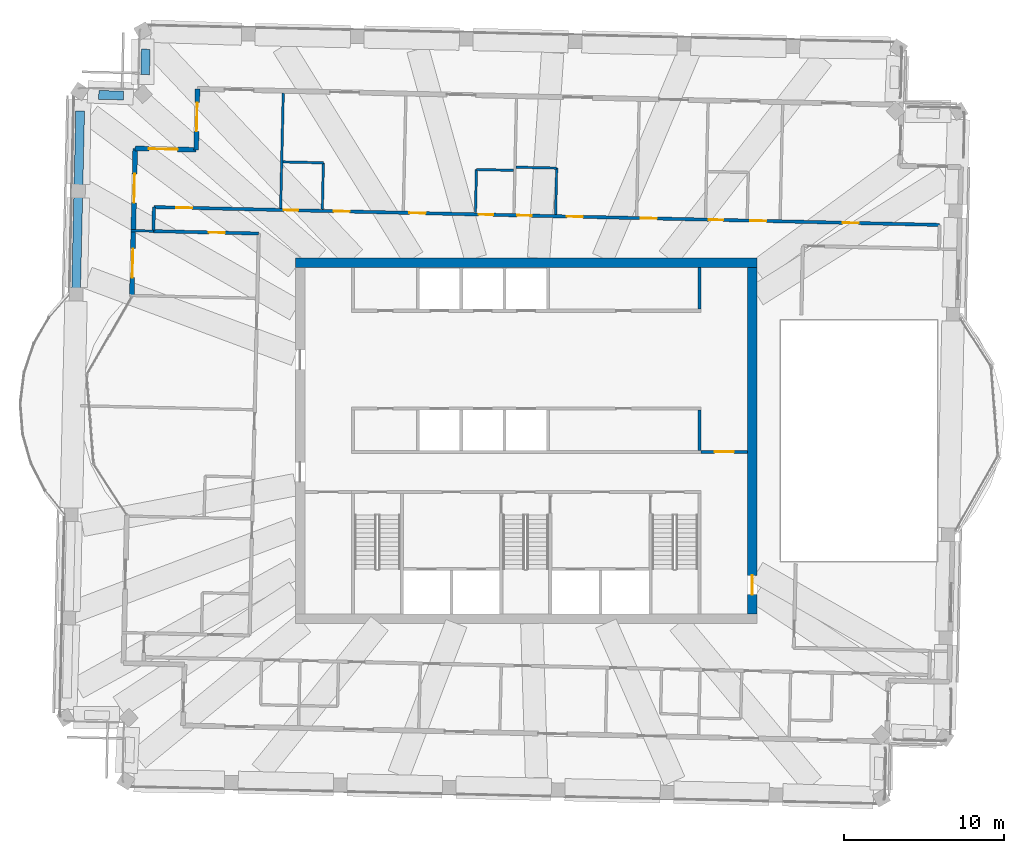
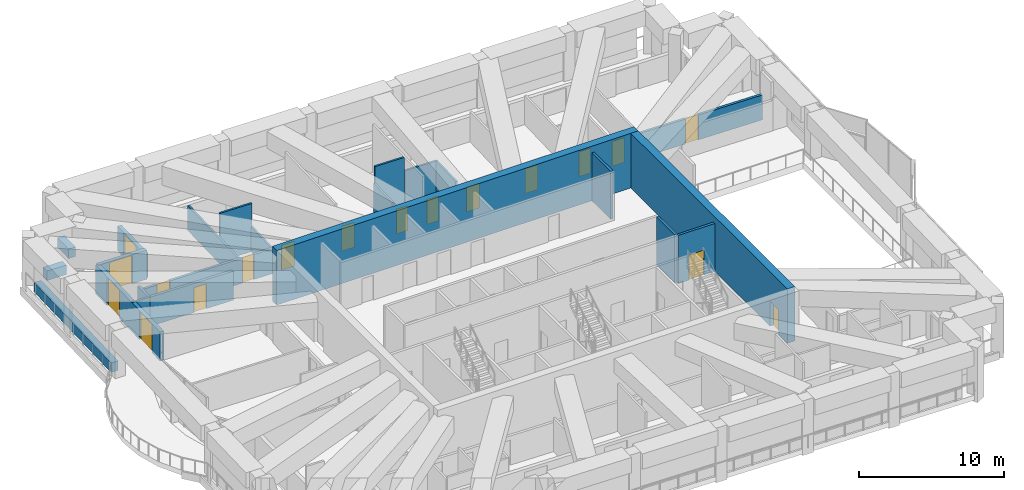
# One storey, part 10 of 17: 22 walls, 18 doors, 18 openings.
"""IFC4 building model written with IfcOpenShell, lengths in metres."""

from ifc_helpers import new_model, si_unit, direction, frame, frame_2d, origin, place, context, subcontext, project, spatial, rectangle, extrude, material, layer, layer_set, type_object, element, fill, save


model = new_model("IFC4")

# Units and contexts
model_context = context("Model", 3, precision=1e-05, world=origin(), true_north=direction((0.0, 1.0)))
body_context = subcontext(model_context, "Body", "Model", "MODEL_VIEW")
ifc_project = project(units=[si_unit("LENGTHUNIT", "METRE"), si_unit("AREAUNIT", "SQUARE_METRE"), si_unit("VOLUMEUNIT", "CUBIC_METRE"), si_unit("PLANEANGLEUNIT", "RADIAN"), si_unit("MASSUNIT", "GRAM", prefix="KILO")], contexts=[model_context])

# Site, building, storey
site_placement = place(None, origin())
site = spatial("IfcSite", under=ifc_project, at=site_placement, CompositionType="ELEMENT")
building_placement = place(site_placement, origin())
building = spatial("IfcBuilding", under=site, at=building_placement, Name="Mangrove Gate Tower", CompositionType="ELEMENT")
storey_placement = place(building_placement, frame((0.0, 0.0, 337.89990234375)))
storey = spatial("IfcBuildingStorey", under=building, at=storey_placement, Name="L86", CompositionType="ELEMENT", Elevation=337.89990234375)

# Wall, opening, door
ifc_material_1 = material(Name="Concrete C32/40", Category="concrete")
ifc_layer_1 = layer(ifc_material_1, 0.199951171875)
ifc_layer_set_1 = layer_set([ifc_layer_1], Name="Core lobby wall 200 C32/40")
wall_type_1 = type_object("IfcWallType", Name="Core lobby wall 200 C32/40", PredefinedType="STANDARD", material=ifc_layer_set_1)
wall_1_placement = place(storey_placement, frame((10.89990234375, -0.699951171875, 0.0), z_axis=(0.0, 0.0, 1.0), x_axis=(1.0, 0.0, 0.0)))
wall_1 = element("IfcWall", 1, at=wall_1_placement, inside=storey, type_object=wall_type_1, Name="WALL-L86-CORE-32", PredefinedType="STANDARD", context=body_context, shape_type="SweptSolid", body=[
    extrude(rectangle(XDim=2.900146484375, YDim=0.199951171875, at=frame_2d((1.4501953125, 0.0))), origin(), (0.0, 0.0, 1.0), 4.050048828125),
])
opening_1_placement = place(wall_1_placement, frame((0.85009765625, 0.0, 0.0)))
opening_1 = element("IfcOpeningElement", 2, at=opening_1_placement, cuts=wall_1, Name="Opening FL12", PredefinedType="OPENING", context=body_context, shape_type="SweptSolid", body=[
    extrude(rectangle(XDim=1.199951171875, YDim=2.10009765625, at=frame_2d((0.60009765625, 1.050048828125))), frame((0.0, 0.10986328125, 0.0), z_axis=(0.0, -1.0, 0.0), x_axis=(1.0, 0.0, 0.0)), (0.0, 0.0, 1.0), 0.219970703125),
])
ifc_material_2 = material(Name="Fire-rated steel door set", Category="steel")
door_type_1 = type_object("IfcDoorType", Name="Lobby door FD60 1200x2100", OperationType="SINGLE_SWING_LEFT", PredefinedType="DOOR", material=ifc_material_2)
door_1_placement = place(opening_1_placement, origin())
door_1 = element("IfcDoor", 3, at=door_1_placement, inside=storey, type_object=door_type_1, Name="Lobby door core corridor E partition", OperationType="SINGLE_SWING_LEFT", OverallHeight=2.10009765625, OverallWidth=1.199951171875, PredefinedType="DOOR", context=body_context, shape_type="SweptSolid", body=[
    extrude(rectangle(XDim=1.199951171875, YDim=2.10009765625, at=frame_2d((0.60009765625, 1.050048828125))), frame((0.0, 0.02490234375, 0.0), z_axis=(0.0, -1.0, 0.0), x_axis=(1.0, 0.0, 0.0)), (0.0, 0.0, 1.0), 0.050048828125),
])
fill(opening_1, door_1)

# Walls
ifc_material_3 = material(Name="Concrete C32/40", Category="concrete")
ifc_layer_2 = layer(ifc_material_3, 0.199951171875)
ifc_layer_set_2 = layer_set([ifc_layer_2], Name="Core room wall 200 C32/40")
wall_type_2 = type_object("IfcWallType", Name="Core room wall 200 C32/40", PredefinedType="STANDARD", material=ifc_layer_set_2)
wall_2_placement = place(storey_placement, frame((10.800048828125, -0.60009765625, 0.0), z_axis=(0.0, 0.0, 1.0), x_axis=(0.0, 1.0, 0.0)))
element("IfcWall", 4, at=wall_2_placement, inside=storey, type_object=wall_type_2, Name="WALL-L86-CORE-24", PredefinedType="STANDARD", context=body_context, shape_type="SweptSolid", body=[
    extrude(rectangle(XDim=2.5, YDim=0.199951171875, at=frame_2d((1.25, 0.0))), origin(), (0.0, 0.0, 1.0), 4.050048828125),
])
wall_3_placement = place(storey_placement, frame((10.800048828125, 8.199951171875, 0.0), z_axis=(0.0, 0.0, 1.0), x_axis=(0.0, 1.0, 0.0)))
element("IfcWall", 5, at=wall_3_placement, inside=storey, type_object=wall_type_2, Name="WALL-L86-CORE-30", PredefinedType="STANDARD", context=body_context, shape_type="SweptSolid", body=[
    extrude(rectangle(XDim=2.60009765625, YDim=0.199951171875, at=frame_2d((1.300048828125, 0.0))), origin(), (0.0, 0.0, 1.0), 4.050048828125),
])
ifc_material_4 = material(Name="Concrete C50/60", Category="concrete")
ifc_layer_3 = layer(ifc_material_4, 0.60009765625)
ifc_layer_set_3 = layer_set([ifc_layer_3], Name="Core wall 600 C50/60")
wall_type_3 = type_object("IfcWallType", Name="Core wall 600 C50/60", PredefinedType="SHEAR", material=ifc_layer_set_3)
wall_4_placement = place(storey_placement, frame((-14.39990234375, 11.10009765625, 0.0), z_axis=(0.0, 0.0, 1.0), x_axis=(1.0, 0.0, 0.0)))
element("IfcWall", 6, at=wall_4_placement, inside=storey, type_object=wall_type_3, Name="WALL-L86-CORE-2", PredefinedType="SHEAR", context=body_context, shape_type="SweptSolid", body=[
    extrude(rectangle(XDim=28.7998046875, YDim=0.60009765625, at=frame_2d((14.39990234375, 0.0))), origin(), (0.0, 0.0, 1.0), 4.60009765625),
])

# Wall, opening, door
wall_5_placement = place(storey_placement, frame((14.10009765625, -10.800048828125, 0.0), z_axis=(0.0, 0.0, 1.0), x_axis=(0.0, 1.0, 0.0)))
wall_5 = element("IfcWall", 7, at=wall_5_placement, inside=storey, type_object=wall_type_3, Name="WALL-L86-CORE-4", PredefinedType="SHEAR", context=body_context, shape_type="SweptSolid", body=[
    extrude(rectangle(XDim=21.60009765625, YDim=0.60009765625, at=frame_2d((10.800048828125, 0.0))), origin(), (0.0, 0.0, 1.0), 4.60009765625),
])
opening_2_placement = place(wall_5_placement, frame((1.199951171875, 0.0, 0.0)))
opening_2 = element("IfcOpeningElement", 8, at=opening_2_placement, cuts=wall_5, Name="Opening CD", PredefinedType="OPENING", context=body_context, shape_type="SweptSolid", body=[
    extrude(rectangle(XDim=1.199951171875, YDim=2.10009765625, at=frame_2d((0.60009765625, 1.050048828125))), frame((0.0, 0.31005859375, 0.0), z_axis=(0.0, -1.0, 0.0), x_axis=(1.0, 0.0, 0.0)), (0.0, 0.0, 1.0), 0.6201171875),
])
ifc_material_5 = material(Name="Fire-rated steel door set", Category="steel")
door_type_2 = type_object("IfcDoorType", Name="Core ring door FD60 1200x2100", OperationType="DOUBLE_DOOR_SINGLE_SWING", PredefinedType="DOOR", material=ifc_material_5)
door_2_placement = place(opening_2_placement, origin())
door_2 = element("IfcDoor", 9, at=door_2_placement, inside=storey, type_object=door_type_2, Name="Core ring door E1", OperationType="DOUBLE_DOOR_SINGLE_SWING", OverallHeight=2.10009765625, OverallWidth=1.199951171875, PredefinedType="DOOR", context=body_context, shape_type="SweptSolid", body=[
    extrude(rectangle(XDim=1.199951171875, YDim=2.10009765625, at=frame_2d((0.60009765625, 1.050048828125))), frame((0.0, 0.02490234375, 0.0), z_axis=(0.0, -1.0, 0.0), x_axis=(1.0, 0.0, 0.0)), (0.0, 0.0, 1.0), 0.050048828125),
])
fill(opening_2, door_2)

ifc_material_6 = material(Name="Gypsum board on steel stud, EI 60", Category="steel")
ifc_layer_4 = layer(ifc_material_6, 0.199951171875)
ifc_layer_set_4 = layer_set([ifc_layer_4], Name="Corridor wall EI 60")
wall_type_4 = type_object("IfcWallType", Name="Corridor wall EI 60", PredefinedType="PARTITIONING", material=ifc_layer_set_4)
wall_6_placement = place(storey_placement, frame((-23.2470703125, 13.06396484375, 0.0), z_axis=(0.0, 0.0, 1.0), x_axis=(0.999743042775, -0.02266822496, 0.0)))
wall_6 = element("IfcWall", 10, at=wall_6_placement, inside=storey, type_object=wall_type_4, Name="WALL-L86-034", PredefinedType="PARTITIONING", context=body_context, shape_type="SweptSolid", body=[
    extrude(rectangle(XDim=6.56982421875, YDim=0.199951171875, at=frame_2d((3.284912109375, 0.0))), origin(), (0.0, 0.0, 1.0), 2.4501953125),
])
opening_3_placement = place(wall_6_placement, frame((3.466064453125, 0.0, 0.0)))
opening_3 = element("IfcOpeningElement", 11, at=opening_3_placement, cuts=wall_6, Name="Opening AD", PredefinedType="OPENING", context=body_context, shape_type="SweptSolid", body=[
    extrude(rectangle(XDim=1.0, YDim=2.10009765625, at=frame_2d((0.5, 1.050048828125))), frame((0.0, 0.10986328125, 0.0), z_axis=(0.0, -1.0, 0.0), x_axis=(1.0, 0.0, 0.0)), (0.0, 0.0, 1.0), 0.219970703125),
])
ifc_material_7 = material(Name="Timber door leaf", Category="wood")
door_type_3 = type_object("IfcDoorType", Name="Amenity door 1000", OperationType="SINGLE_SWING_LEFT", PredefinedType="DOOR", material=ifc_material_7)
door_3_placement = place(opening_3_placement, origin())
door_3 = element("IfcDoor", 12, at=door_3_placement, inside=storey, type_object=door_type_3, Name="DOOR-L86-GAM-c5a", OperationType="SINGLE_SWING_LEFT", OverallHeight=2.10009765625, OverallWidth=1.0, PredefinedType="DOOR", context=body_context, shape_type="SweptSolid", body=[
    extrude(rectangle(XDim=1.0, YDim=2.10009765625, at=frame_2d((0.5, 1.050048828125))), frame((0.0, 0.02490234375, 0.0), z_axis=(0.0, -1.0, 0.0), x_axis=(1.0, 0.0, 0.0)), (0.0, 0.0, 1.0), 0.050048828125),
])
fill(opening_3, door_3)

# Wall
wall_7_placement = place(storey_placement, frame((-23.2470703125, 13.068115234375, 0.0), z_axis=(0.0, 0.0, 1.0), x_axis=(0.023431065349, 0.999725454901, 0.0)))
element("IfcWall", 13, at=wall_7_placement, inside=storey, type_object=wall_type_4, Name="WALL-L86-037", PredefinedType="PARTITIONING", context=body_context, shape_type="SweptSolid", body=[
    extrude(rectangle(XDim=1.50048828125, YDim=0.199951171875, at=frame_2d((0.750244140625, 0.0))), origin(), (0.0, 0.0, 1.0), 2.4501953125),
])

# Wall, openings, doors
wall_8_placement = place(storey_placement, frame((-23.212890625, 14.56396484375, 0.0), z_axis=(0.0, 0.0, 1.0), x_axis=(0.999742437097, -0.022694921611, 0.0)))
wall_8 = element("IfcWall", 14, at=wall_8_placement, inside=storey, type_object=wall_type_4, Name="WALL-L86-039", PredefinedType="PARTITIONING", context=body_context, shape_type="SweptSolid", body=[
    extrude(rectangle(XDim=49.00048828125, YDim=0.199951171875, at=frame_2d((24.500244140625, 0.0))), origin(), (0.0, 0.0, 1.0), 2.10009765625),
])
opening_4_placement = place(wall_8_placement, frame((42.950927734375, 0.0, 0.0)))
opening_4 = element("IfcOpeningElement", 15, at=opening_4_placement, cuts=wall_8, Name="Opening AD", PredefinedType="OPENING", context=body_context, shape_type="SweptSolid", body=[
    extrude(rectangle(XDim=1.0, YDim=2.10009765625, at=frame_2d((0.5, 1.050048828125))), frame((0.0, 0.10986328125, 0.0), z_axis=(0.0, -1.0, 0.0), x_axis=(1.0, 0.0, 0.0)), (0.0, 0.0, 1.0), 0.219970703125),
])
opening_5_placement = place(wall_8_placement, frame((37.199951171875, 0.0, 0.0)))
opening_5 = element("IfcOpeningElement", 16, at=opening_5_placement, cuts=wall_8, Name="Opening AD", PredefinedType="OPENING", context=body_context, shape_type="SweptSolid", body=[
    extrude(rectangle(XDim=1.0, YDim=2.10009765625, at=frame_2d((0.5, 1.050048828125))), frame((0.0, 0.10986328125, 0.0), z_axis=(0.0, -1.0, 0.0), x_axis=(1.0, 0.0, 0.0)), (0.0, 0.0, 1.0), 0.219970703125),
])
opening_6_placement = place(wall_8_placement, frame((34.60009765625, 0.0, 0.0)))
opening_6 = element("IfcOpeningElement", 17, at=opening_6_placement, cuts=wall_8, Name="Opening SD", PredefinedType="OPENING", context=body_context, shape_type="SweptSolid", body=[
    extrude(rectangle(XDim=0.89990234375, YDim=2.10009765625, at=frame_2d((0.449951171875, 1.050048828125))), frame((0.0, 0.10986328125, 0.0), z_axis=(0.0, -1.0, 0.0), x_axis=(1.0, 0.0, 0.0)), (0.0, 0.0, 1.0), 0.219970703125),
])
opening_7_placement = place(wall_8_placement, frame((30.3740234375, 0.0, 0.0)))
opening_7 = element("IfcOpeningElement", 18, at=opening_7_placement, cuts=wall_8, Name="Opening AD", PredefinedType="OPENING", context=body_context, shape_type="SweptSolid", body=[
    extrude(rectangle(XDim=1.0, YDim=2.10009765625, at=frame_2d((0.5, 1.050048828125))), frame((0.0, 0.10986328125, 0.0), z_axis=(0.0, -1.0, 0.0), x_axis=(1.0, 0.0, 0.0)), (0.0, 0.0, 1.0), 0.219970703125),
])
opening_8_placement = place(wall_8_placement, frame((25.760009765625, 0.0, 0.0)))
opening_8 = element("IfcOpeningElement", 19, at=opening_8_placement, cuts=wall_8, Name="Opening AD", PredefinedType="OPENING", context=body_context, shape_type="SweptSolid", body=[
    extrude(rectangle(XDim=1.0, YDim=2.10009765625, at=frame_2d((0.5, 1.050048828125))), frame((0.0, 0.10986328125, 0.0), z_axis=(0.0, -1.0, 0.0), x_axis=(1.0, 0.0, 0.0)), (0.0, 0.0, 1.0), 0.219970703125),
])
opening_9_placement = place(wall_8_placement, frame((22.64990234375, 0.0, 0.0)))
opening_9 = element("IfcOpeningElement", 20, at=opening_9_placement, cuts=wall_8, Name="Opening SD", PredefinedType="OPENING", context=body_context, shape_type="SweptSolid", body=[
    extrude(rectangle(XDim=0.89990234375, YDim=2.10009765625, at=frame_2d((0.449951171875, 1.050048828125))), frame((0.0, 0.10986328125, 0.0), z_axis=(0.0, -1.0, 0.0), x_axis=(1.0, 0.0, 0.0)), (0.0, 0.0, 1.0), 0.219970703125),
])
opening_10_placement = place(wall_8_placement, frame((15.93798828125, 0.0, 0.0)))
opening_10 = element("IfcOpeningElement", 21, at=opening_10_placement, cuts=wall_8, Name="Opening AD", PredefinedType="OPENING", context=body_context, shape_type="SweptSolid", body=[
    extrude(rectangle(XDim=1.0, YDim=2.10009765625, at=frame_2d((0.5, 1.050048828125))), frame((0.0, 0.10986328125, 0.0), z_axis=(0.0, -1.0, 0.0), x_axis=(1.0, 0.0, 0.0)), (0.0, 0.0, 1.0), 0.219970703125),
])
opening_11_placement = place(wall_8_placement, frame((20.25, 0.0, 0.0)))
opening_11 = element("IfcOpeningElement", 22, at=opening_11_placement, cuts=wall_8, Name="Opening SD", PredefinedType="OPENING", context=body_context, shape_type="SweptSolid", body=[
    extrude(rectangle(XDim=0.89990234375, YDim=2.10009765625, at=frame_2d((0.449951171875, 1.050048828125))), frame((0.0, 0.10986328125, 0.0), z_axis=(0.0, -1.0, 0.0), x_axis=(1.0, 0.0, 0.0)), (0.0, 0.0, 1.0), 0.219970703125),
])
opening_12_placement = place(wall_8_placement, frame((11.214111328125, 0.0, 0.0)))
opening_12 = element("IfcOpeningElement", 23, at=opening_12_placement, cuts=wall_8, Name="Opening AD", PredefinedType="OPENING", context=body_context, shape_type="SweptSolid", body=[
    extrude(rectangle(XDim=1.0, YDim=2.10009765625, at=frame_2d((0.5, 1.050048828125))), frame((0.0, 0.10986328125, 0.0), z_axis=(0.0, -1.0, 0.0), x_axis=(1.0, 0.0, 0.0)), (0.0, 0.0, 1.0), 0.219970703125),
])
opening_13_placement = place(wall_8_placement, frame((8.10009765625, 0.0, 0.0)))
opening_13 = element("IfcOpeningElement", 24, at=opening_13_placement, cuts=wall_8, Name="Opening SD", PredefinedType="OPENING", context=body_context, shape_type="SweptSolid", body=[
    extrude(rectangle(XDim=0.89990234375, YDim=2.10009765625, at=frame_2d((0.449951171875, 1.050048828125))), frame((0.0, 0.10986328125, 0.0), z_axis=(0.0, -1.0, 0.0), x_axis=(1.0, 0.0, 0.0)), (0.0, 0.0, 1.0), 0.219970703125),
])
opening_14_placement = place(wall_8_placement, frame((1.386962890625, 0.0, 0.0)))
opening_14 = element("IfcOpeningElement", 25, at=opening_14_placement, cuts=wall_8, Name="Opening AD", PredefinedType="OPENING", context=body_context, shape_type="SweptSolid", body=[
    extrude(rectangle(XDim=1.0, YDim=2.10009765625, at=frame_2d((0.5, 1.050048828125))), frame((0.0, 0.10986328125, 0.0), z_axis=(0.0, -1.0, 0.0), x_axis=(1.0, 0.0, 0.0)), (0.0, 0.0, 1.0), 0.219970703125),
])
door_4_placement = place(opening_4_placement, origin())
door_4 = element("IfcDoor", 26, at=door_4_placement, inside=storey, type_object=door_type_3, Name="DOOR-L86-LNG-c3a", OperationType="SINGLE_SWING_RIGHT", OverallHeight=2.10009765625, OverallWidth=1.0, PredefinedType="DOOR", context=body_context, shape_type="SweptSolid", body=[
    extrude(rectangle(XDim=1.0, YDim=2.10009765625, at=frame_2d((0.5, 1.050048828125))), frame((0.0, 0.02490234375, 0.0), z_axis=(0.0, -1.0, 0.0), x_axis=(1.0, 0.0, 0.0)), (0.0, 0.0, 1.0), 0.050048828125),
])
fill(opening_4, door_4)
door_5_placement = place(opening_5_placement, origin())
door_5 = element("IfcDoor", 27, at=door_5_placement, inside=storey, type_object=door_type_3, Name="DOOR-L86-STU-c3a", OperationType="SINGLE_SWING_LEFT", OverallHeight=2.10009765625, OverallWidth=1.0, PredefinedType="DOOR", context=body_context, shape_type="SweptSolid", body=[
    extrude(rectangle(XDim=1.0, YDim=2.10009765625, at=frame_2d((0.5, 1.050048828125))), frame((0.0, 0.02490234375, 0.0), z_axis=(0.0, -1.0, 0.0), x_axis=(1.0, 0.0, 0.0)), (0.0, 0.0, 1.0), 0.050048828125),
])
fill(opening_5, door_5)
door_6_placement = place(opening_7_placement, origin())
door_6 = element("IfcDoor", 28, at=door_6_placement, inside=storey, type_object=door_type_3, Name="DOOR-L86-STU-c3b", OperationType="SINGLE_SWING_RIGHT", OverallHeight=2.10009765625, OverallWidth=1.0, PredefinedType="DOOR", context=body_context, shape_type="SweptSolid", body=[
    extrude(rectangle(XDim=1.0, YDim=2.10009765625, at=frame_2d((0.5, 1.050048828125))), frame((0.0, 0.02490234375, 0.0), z_axis=(0.0, -1.0, 0.0), x_axis=(1.0, 0.0, 0.0)), (0.0, 0.0, 1.0), 0.050048828125),
])
fill(opening_7, door_6)
door_7_placement = place(opening_8_placement, origin())
door_7 = element("IfcDoor", 29, at=door_7_placement, inside=storey, type_object=door_type_3, Name="DOOR-L86-LNG-c4a", OperationType="SINGLE_SWING_LEFT", OverallHeight=2.10009765625, OverallWidth=1.0, PredefinedType="DOOR", context=body_context, shape_type="SweptSolid", body=[
    extrude(rectangle(XDim=1.0, YDim=2.10009765625, at=frame_2d((0.5, 1.050048828125))), frame((0.0, 0.02490234375, 0.0), z_axis=(0.0, -1.0, 0.0), x_axis=(1.0, 0.0, 0.0)), (0.0, 0.0, 1.0), 0.050048828125),
])
fill(opening_8, door_7)
door_8_placement = place(opening_10_placement, origin())
door_8 = element("IfcDoor", 30, at=door_8_placement, inside=storey, type_object=door_type_3, Name="DOOR-L86-GAM-c4a", OperationType="SINGLE_SWING_RIGHT", OverallHeight=2.10009765625, OverallWidth=1.0, PredefinedType="DOOR", context=body_context, shape_type="SweptSolid", body=[
    extrude(rectangle(XDim=1.0, YDim=2.10009765625, at=frame_2d((0.5, 1.050048828125))), frame((0.0, 0.02490234375, 0.0), z_axis=(0.0, -1.0, 0.0), x_axis=(1.0, 0.0, 0.0)), (0.0, 0.0, 1.0), 0.050048828125),
])
fill(opening_10, door_8)
door_9_placement = place(opening_12_placement, origin())
door_9 = element("IfcDoor", 31, at=door_9_placement, inside=storey, type_object=door_type_3, Name="DOOR-L86-LNG-c4b", OperationType="SINGLE_SWING_LEFT", OverallHeight=2.10009765625, OverallWidth=1.0, PredefinedType="DOOR", context=body_context, shape_type="SweptSolid", body=[
    extrude(rectangle(XDim=1.0, YDim=2.10009765625, at=frame_2d((0.5, 1.050048828125))), frame((0.0, 0.02490234375, 0.0), z_axis=(0.0, -1.0, 0.0), x_axis=(1.0, 0.0, 0.0)), (0.0, 0.0, 1.0), 0.050048828125),
])
fill(opening_12, door_9)
door_10_placement = place(opening_14_placement, origin())
door_10 = element("IfcDoor", 32, at=door_10_placement, inside=storey, type_object=door_type_3, Name="DOOR-L86-KIT-c4a", OperationType="SINGLE_SWING_RIGHT", OverallHeight=2.10009765625, OverallWidth=1.0, PredefinedType="DOOR", context=body_context, shape_type="SweptSolid", body=[
    extrude(rectangle(XDim=1.0, YDim=2.10009765625, at=frame_2d((0.5, 1.050048828125))), frame((0.0, 0.02490234375, 0.0), z_axis=(0.0, -1.0, 0.0), x_axis=(1.0, 0.0, 0.0)), (0.0, 0.0, 1.0), 0.050048828125),
])
fill(opening_14, door_10)
ifc_material_8 = material(Name="Timber door leaf", Category="wood")
door_type_4 = type_object("IfcDoorType", Name="Service room door 900", OperationType="SINGLE_SWING_LEFT", PredefinedType="DOOR", material=ifc_material_8)
door_11_placement = place(opening_6_placement, origin())
door_11 = element("IfcDoor", 33, at=door_11_placement, inside=storey, type_object=door_type_4, Name="DOOR-L86-AWC-c3a", OperationType="SINGLE_SWING_RIGHT", OverallHeight=2.10009765625, OverallWidth=0.89990234375, PredefinedType="DOOR", context=body_context, shape_type="SweptSolid", body=[
    extrude(rectangle(XDim=0.89990234375, YDim=2.10009765625, at=frame_2d((0.449951171875, 1.050048828125))), frame((0.0, 0.02490234375, 0.0), z_axis=(0.0, -1.0, 0.0), x_axis=(1.0, 0.0, 0.0)), (0.0, 0.0, 1.0), 0.050048828125),
])
fill(opening_6, door_11)
door_12_placement = place(opening_9_placement, origin())
door_12 = element("IfcDoor", 34, at=door_12_placement, inside=storey, type_object=door_type_4, Name="DOOR-L86-AWC-c4a", OperationType="SINGLE_SWING_LEFT", OverallHeight=2.10009765625, OverallWidth=0.89990234375, PredefinedType="DOOR", context=body_context, shape_type="SweptSolid", body=[
    extrude(rectangle(XDim=0.89990234375, YDim=2.10009765625, at=frame_2d((0.449951171875, 1.050048828125))), frame((0.0, 0.02490234375, 0.0), z_axis=(0.0, -1.0, 0.0), x_axis=(1.0, 0.0, 0.0)), (0.0, 0.0, 1.0), 0.050048828125),
])
fill(opening_9, door_12)
door_13_placement = place(opening_11_placement, origin())
door_13 = element("IfcDoor", 35, at=door_13_placement, inside=storey, type_object=door_type_4, Name="DOOR-L86-WC-c4a", OperationType="SINGLE_SWING_RIGHT", OverallHeight=2.10009765625, OverallWidth=0.89990234375, PredefinedType="DOOR", context=body_context, shape_type="SweptSolid", body=[
    extrude(rectangle(XDim=0.89990234375, YDim=2.10009765625, at=frame_2d((0.449951171875, 1.050048828125))), frame((0.0, 0.02490234375, 0.0), z_axis=(0.0, -1.0, 0.0), x_axis=(1.0, 0.0, 0.0)), (0.0, 0.0, 1.0), 0.050048828125),
])
fill(opening_11, door_13)
door_14_placement = place(opening_13_placement, origin())
door_14 = element("IfcDoor", 36, at=door_14_placement, inside=storey, type_object=door_type_4, Name="DOOR-L86-AWC-c4b", OperationType="SINGLE_SWING_LEFT", OverallHeight=2.10009765625, OverallWidth=0.89990234375, PredefinedType="DOOR", context=body_context, shape_type="SweptSolid", body=[
    extrude(rectangle(XDim=0.89990234375, YDim=2.10009765625, at=frame_2d((0.449951171875, 1.050048828125))), frame((0.0, 0.02490234375, 0.0), z_axis=(0.0, -1.0, 0.0), x_axis=(1.0, 0.0, 0.0)), (0.0, 0.0, 1.0), 0.050048828125),
])
fill(opening_13, door_14)

# Wall, opening, door
ifc_material_9 = material(Name="Limestone", Category="masonry")
ifc_layer_5 = layer(ifc_material_9, 0.0400390625, Name="Limestone cladding")
ifc_material_10 = material(Name="Ventilated air gap")
ifc_layer_6 = layer(ifc_material_10, 0.0400390625, Name="Ventilated cavity")
ifc_material_11 = material(Name="Mineral wool insulation")
ifc_layer_7 = layer(ifc_material_11, 0.06005859375, Name="Insulation")
ifc_material_12 = material(Name="Breather membrane")
ifc_layer_8 = layer(ifc_material_12, 0.001953125, Name="Breather membrane")
ifc_material_13 = material(Name="Concrete C20/25 blockwork", Category="masonry")
ifc_layer_9 = layer(ifc_material_13, 0.14990234375, Name="Blockwork backing wall")
ifc_material_14 = material(Name="Gypsum plaster")
ifc_layer_10 = layer(ifc_material_14, 0.008056640625, Name="Internal plaster")
ifc_layer_set_5 = layer_set([ifc_layer_5, ifc_layer_6, ifc_layer_7, ifc_layer_8, ifc_layer_9, ifc_layer_10], Name="External wall 300 limestone cladding")
wall_type_5 = type_object("IfcWallType", Name="External wall 300 limestone cladding", PredefinedType="SOLIDWALL", material=ifc_layer_set_5)
wall_9_placement = place(storey_placement, frame((-20.4951171875, 21.93408203125, 0.0), z_axis=(0.0, 0.0, 1.0), x_axis=(-0.022614868993, -0.999744251146, 0.0)))
wall_9 = element("IfcWall", 37, at=wall_9_placement, inside=storey, type_object=wall_type_5, Name="WALL-L86-W6", PredefinedType="SOLIDWALL", context=body_context, shape_type="SweptSolid", body=[
    extrude(rectangle(XDim=3.800048828125, YDim=0.300048828125, at=frame_2d((1.89990234375, 0.0))), origin(), (0.0, 0.0, 1.0), 2.10009765625),
])
opening_15_placement = place(wall_9_placement, frame((0.85009765625, 0.0, 0.0)))
opening_15 = element("IfcOpeningElement", 38, at=opening_15_placement, cuts=wall_9, Name="Opening TD2", PredefinedType="OPENING", context=body_context, shape_type="SweptSolid", body=[
    extrude(rectangle(XDim=1.800048828125, YDim=2.0, at=frame_2d((0.89990234375, 1.0))), frame((0.0, 0.159912109375, 0.0), z_axis=(0.0, -1.0, 0.0), x_axis=(1.0, 0.0, 0.0)), (0.0, 0.0, 1.0), 0.320068359375),
])
ifc_material_15 = material(Name="Aluminium frame with laminated clear glass", Category="aluminium")
door_type_5 = type_object("IfcDoorType", Name="Terrace door 1800x2000", OperationType="DOUBLE_DOOR_SINGLE_SWING", PredefinedType="DOOR", material=ifc_material_15)
door_15_placement = place(opening_15_placement, origin())
door_15 = element("IfcDoor", 39, at=door_15_placement, inside=storey, type_object=door_type_5, Name="DOOR-L86-W6-1", OperationType="DOUBLE_DOOR_SINGLE_SWING", OverallHeight=2.0, OverallWidth=1.800048828125, PredefinedType="DOOR", context=body_context, shape_type="SweptSolid", body=[
    extrude(rectangle(XDim=1.800048828125, YDim=2.0, at=frame_2d((0.89990234375, 1.0))), frame((0.0, 0.02490234375, 0.0), z_axis=(0.0, -1.0, 0.0), x_axis=(1.0, 0.0, 0.0)), (0.0, 0.0, 1.0), 0.050048828125),
])
fill(opening_15, door_15)

wall_10_placement = place(storey_placement, frame((-20.5810546875, 18.135009765625, 0.0), z_axis=(0.0, 0.0, 1.0), x_axis=(-0.999744218285, 0.022616321648, 0.0)))
wall_10 = element("IfcWall", 40, at=wall_10_placement, inside=storey, type_object=wall_type_5, Name="WALL-L86-N7", PredefinedType="SOLIDWALL", context=body_context, shape_type="SweptSolid", body=[
    extrude(rectangle(XDim=3.7998046875, YDim=0.300048828125, at=frame_2d((1.89990234375, 0.0))), origin(), (0.0, 0.0, 1.0), 2.4501953125),
])
opening_16_placement = place(wall_10_placement, frame((1.14990234375, 0.0, 0.0)))
opening_16 = element("IfcOpeningElement", 41, at=opening_16_placement, cuts=wall_10, Name="Opening TD1", PredefinedType="OPENING", context=body_context, shape_type="SweptSolid", body=[
    extrude(rectangle(XDim=1.800048828125, YDim=2.39990234375, at=frame_2d((0.89990234375, 1.199951171875))), frame((0.0, 0.159912109375, 0.0), z_axis=(0.0, -1.0, 0.0), x_axis=(1.0, 0.0, 0.0)), (0.0, 0.0, 1.0), 0.320068359375),
])
ifc_material_16 = material(Name="Aluminium frame with laminated clear glass", Category="aluminium")
door_type_6 = type_object("IfcDoorType", Name="Terrace door 1800x2400", OperationType="DOUBLE_DOOR_SINGLE_SWING", PredefinedType="DOOR", material=ifc_material_16)
door_16_placement = place(opening_16_placement, origin())
door_16 = element("IfcDoor", 42, at=door_16_placement, inside=storey, type_object=door_type_6, Name="DOOR-L86-N7-1", OperationType="DOUBLE_DOOR_SINGLE_SWING", OverallHeight=2.39990234375, OverallWidth=1.800048828125, PredefinedType="DOOR", context=body_context, shape_type="SweptSolid", body=[
    extrude(rectangle(XDim=1.800048828125, YDim=2.39990234375, at=frame_2d((0.89990234375, 1.199951171875))), frame((0.0, 0.02490234375, 0.0), z_axis=(0.0, -1.0, 0.0), x_axis=(1.0, 0.0, 0.0)), (0.0, 0.0, 1.0), 0.050048828125),
])
fill(opening_16, door_16)

# Wall, openings, doors
wall_11_placement = place(storey_placement, frame((-24.3798828125, 18.220947265625, 0.0), z_axis=(0.0, 0.0, 1.0), x_axis=(-0.022669729545, -0.999743008659, 0.0)))
wall_11 = element("IfcWall", 43, at=wall_11_placement, inside=storey, type_object=wall_type_5, Name="WALL-L86-W8", PredefinedType="SOLIDWALL", context=body_context, shape_type="SweptSolid", body=[
    extrude(rectangle(XDim=9.2294921875, YDim=0.300048828125, at=frame_2d((4.61474609375, 0.0))), origin(), (0.0, 0.0, 1.0), 2.4501953125),
])
opening_17_placement = place(wall_11_placement, frame((1.587890625, 0.0, 0.0)))
opening_17 = element("IfcOpeningElement", 44, at=opening_17_placement, cuts=wall_11, Name="Opening TD1", PredefinedType="OPENING", context=body_context, shape_type="SweptSolid", body=[
    extrude(rectangle(XDim=1.800048828125, YDim=2.39990234375, at=frame_2d((0.89990234375, 1.199951171875))), frame((0.0, 0.159912109375, 0.0), z_axis=(0.0, -1.0, 0.0), x_axis=(1.0, 0.0, 0.0)), (0.0, 0.0, 1.0), 0.320068359375),
])
opening_18_placement = place(wall_11_placement, frame((6.25, 0.0, 0.0)))
opening_18 = element("IfcOpeningElement", 45, at=opening_18_placement, cuts=wall_11, Name="Opening TD1", PredefinedType="OPENING", context=body_context, shape_type="SweptSolid", body=[
    extrude(rectangle(XDim=1.800048828125, YDim=2.39990234375, at=frame_2d((0.89990234375, 1.199951171875))), frame((0.0, 0.159912109375, 0.0), z_axis=(0.0, -1.0, 0.0), x_axis=(1.0, 0.0, 0.0)), (0.0, 0.0, 1.0), 0.320068359375),
])
door_17_placement = place(opening_17_placement, origin())
door_17 = element("IfcDoor", 46, at=door_17_placement, inside=storey, type_object=door_type_6, Name="DOOR-L86-W8-1", OperationType="DOUBLE_DOOR_SINGLE_SWING", OverallHeight=2.39990234375, OverallWidth=1.800048828125, PredefinedType="DOOR", context=body_context, shape_type="SweptSolid", body=[
    extrude(rectangle(XDim=1.800048828125, YDim=2.39990234375, at=frame_2d((0.89990234375, 1.199951171875))), frame((0.0, 0.02490234375, 0.0), z_axis=(0.0, -1.0, 0.0), x_axis=(1.0, 0.0, 0.0)), (0.0, 0.0, 1.0), 0.050048828125),
])
fill(opening_17, door_17)
door_18_placement = place(opening_18_placement, origin())
door_18 = element("IfcDoor", 47, at=door_18_placement, inside=storey, type_object=door_type_6, Name="DOOR-L86-W8-2", OperationType="DOUBLE_DOOR_SINGLE_SWING", OverallHeight=2.39990234375, OverallWidth=1.800048828125, PredefinedType="DOOR", context=body_context, shape_type="SweptSolid", body=[
    extrude(rectangle(XDim=1.800048828125, YDim=2.39990234375, at=frame_2d((0.89990234375, 1.199951171875))), frame((0.0, 0.02490234375, 0.0), z_axis=(0.0, -1.0, 0.0), x_axis=(1.0, 0.0, 0.0)), (0.0, 0.0, 1.0), 0.050048828125),
])
fill(opening_18, door_18)

# Walls
ifc_material_17 = material(Name="Gypsum board on steel stud, EI 60", Category="steel")
ifc_layer_11 = layer(ifc_material_17, 0.14990234375)
ifc_layer_set_6 = layer_set([ifc_layer_11], Name="Party wall 150 EI 60")
wall_type_6 = type_object("IfcWallType", Name="Party wall 150 EI 60", PredefinedType="PARTITIONING", material=ifc_layer_set_6)
wall_12_placement = place(storey_placement, frame((-24.64599609375, 13.095947265625, 0.0), z_axis=(0.0, 0.0, 1.0), x_axis=(0.999740306547, -0.022788581896, 0.0)))
element("IfcWall", 48, at=wall_12_placement, inside=storey, type_object=wall_type_6, Name="WALL-L86-033", PredefinedType="PARTITIONING", context=body_context, shape_type="SweptSolid", body=[
    extrude(rectangle(XDim=1.4033203125, YDim=0.14990234375, at=frame_2d((0.70166015625, 0.0))), origin(), (0.0, 0.0, 1.0), 2.4501953125),
])
wall_13_placement = place(storey_placement, frame((-15.31201171875, 14.488037109375, 0.0), z_axis=(0.0, 0.0, 1.0), x_axis=(0.022723723534, 0.999741782856, 0.0)))
element("IfcWall", 49, at=wall_13_placement, inside=storey, type_object=wall_type_6, Name="WALL-L86-040", PredefinedType="PARTITIONING", context=body_context, shape_type="SweptSolid", body=[
    extrude(rectangle(XDim=7.177001953125, YDim=0.14990234375, at=frame_2d((3.58837890625, 0.0))), origin(), (0.0, 0.0, 1.0), 2.10009765625),
])
wall_14_placement = place(storey_placement, frame((-12.712890625, 14.428955078125, 0.0), z_axis=(0.0, 0.0, 1.0), x_axis=(0.022723317103, 0.999741792094, 0.0)))
element("IfcWall", 50, at=wall_14_placement, inside=storey, type_object=wall_type_6, Name="WALL-L86-041", PredefinedType="PARTITIONING", context=body_context, shape_type="SweptSolid", body=[
    extrude(rectangle(XDim=2.90087890625, YDim=0.14990234375, at=frame_2d((1.450439453125, 0.0))), origin(), (0.0, 0.0, 1.0), 2.10009765625),
])
wall_15_placement = place(storey_placement, frame((-3.1650390625, 14.212890625, 0.0), z_axis=(0.0, 0.0, 1.0), x_axis=(0.022606377605, 0.999744443191, 0.0)))
element("IfcWall", 51, at=wall_15_placement, inside=storey, type_object=wall_type_6, Name="WALL-L86-043", PredefinedType="PARTITIONING", context=body_context, shape_type="SweptSolid", body=[
    extrude(rectangle(XDim=2.699951171875, YDim=0.14990234375, at=frame_2d((1.35009765625, 0.0))), origin(), (0.0, 0.0, 1.0), 2.650146484375),
])
wall_16_placement = place(storey_placement, frame((1.8330078125, 14.09912109375, 0.0), z_axis=(0.0, 0.0, 1.0), x_axis=(0.022725229174, 0.999741748633, 0.0)))
element("IfcWall", 52, at=wall_16_placement, inside=storey, type_object=wall_type_6, Name="WALL-L86-045", PredefinedType="PARTITIONING", context=body_context, shape_type="SweptSolid", body=[
    extrude(rectangle(XDim=2.900634765625, YDim=0.14990234375, at=frame_2d((1.4501953125, 0.0))), origin(), (0.0, 0.0, 1.0), 2.75),
])
wall_17_placement = place(storey_placement, frame((-3.10400390625, 16.907958984375, 0.0), z_axis=(0.0, 0.0, 1.0), x_axis=(0.999740260747, -0.02279059109, 0.0)))
element("IfcWall", 53, at=wall_17_placement, inside=storey, type_object=wall_type_6, Name="WALL-L86-050", PredefinedType="PARTITIONING", context=body_context, shape_type="SweptSolid", body=[
    extrude(rectangle(XDim=2.324462890625, YDim=0.14990234375, at=frame_2d((1.162109375, 0.0))), origin(), (0.0, 0.0, 1.0), 4.050048828125),
])
wall_18_placement = place(storey_placement, frame((-15.172119140625, 17.382080078125, 0.0), z_axis=(0.0, 0.0, 1.0), x_axis=(0.999744175585, -0.022618209135, 0.0)))
element("IfcWall", 54, at=wall_18_placement, inside=storey, type_object=wall_type_6, Name="WALL-L86-051", PredefinedType="PARTITIONING", context=body_context, shape_type="SweptSolid", body=[
    extrude(rectangle(XDim=2.52587890625, YDim=0.14990234375, at=frame_2d((1.262939453125, 0.0))), origin(), (0.0, 0.0, 1.0), 4.050048828125),
])
wall_19_placement = place(storey_placement, frame((-0.625, 17.052001953125, 0.0), z_axis=(0.0, 0.0, 1.0), x_axis=(0.9997461113, -0.022532486354, 0.0)))
element("IfcWall", 55, at=wall_19_placement, inside=storey, type_object=wall_type_6, Name="WALL-L86-052", PredefinedType="PARTITIONING", context=body_context, shape_type="SweptSolid", body=[
    extrude(rectangle(XDim=2.524658203125, YDim=0.14990234375, at=frame_2d((1.26220703125, 0.0))), origin(), (0.0, 0.0, 1.0), 2.75),
])
ifc_material_18 = material(Name="Concrete C32/40", Category="concrete")
ifc_layer_12 = layer(ifc_material_18, 0.199951171875, Name="Planter trough wall")
ifc_material_19 = material(Name="Bituminous waterproofing membrane")
ifc_layer_13 = layer(ifc_material_19, 0.0048828125, Name="Waterproofing")
ifc_material_20 = material(Name="Drainage board and gravel")
ifc_layer_14 = layer(ifc_material_20, 0.044921875, Name="Drainage layer")
ifc_material_21 = material(Name="Planting soil")
ifc_layer_15 = layer(ifc_material_21, 0.300048828125, Name="Growing medium")
ifc_layer_set_7 = layer_set([ifc_layer_12, ifc_layer_13, ifc_layer_14, ifc_layer_15], Name="Planter wall 550 C32/40")
wall_type_7 = type_object("IfcWallType", Name="Planter wall 550 C32/40", PredefinedType="USERDEFINED", material=ifc_layer_set_7)
wall_20_placement = place(storey_placement, frame((-28.06396484375, 9.489990234375, 0.0), z_axis=(0.0, 0.0, 1.0), x_axis=(0.022688316911, 0.999742587007, 0.0)))
element("IfcWall", 56, at=wall_20_placement, inside=storey, type_object=wall_type_7, Name="PLANTER L86 T3.1.25", ObjectType="PLANTER", PredefinedType="USERDEFINED", context=body_context, shape_type="SweptSolid", body=[
    extrude(rectangle(XDim=11.06201171875, YDim=0.550048828125, at=frame_2d((5.531005859375, 0.0))), origin(), (0.0, 0.0, 1.0), 0.800048828125),
])
wall_21_placement = place(storey_placement, frame((-26.655029296875, 21.55810546875, 0.0), z_axis=(0.0, 0.0, 1.0), x_axis=(0.999738546053, -0.022865684662, 0.0)))
element("IfcWall", 57, at=wall_21_placement, inside=storey, type_object=wall_type_7, Name="PLANTER L86 T3.2.6", ObjectType="PLANTER", PredefinedType="USERDEFINED", context=body_context, shape_type="SweptSolid", body=[
    extrude(rectangle(XDim=1.53759765625, YDim=0.550048828125, at=frame_2d((0.768798828125, 0.0))), origin(), (0.0, 0.0, 1.0), 0.800048828125),
])
wall_22_placement = place(storey_placement, frame((-23.760986328125, 22.821044921875, 0.0), z_axis=(0.0, 0.0, 1.0), x_axis=(0.02260960345, 0.999744370243, 0.0)))
element("IfcWall", 58, at=wall_22_placement, inside=storey, type_object=wall_type_7, Name="PLANTER L86 T3.2.9", ObjectType="PLANTER", PredefinedType="USERDEFINED", context=body_context, shape_type="SweptSolid", body=[
    extrude(rectangle(XDim=1.58740234375, YDim=0.550048828125, at=frame_2d((0.793701171875, 0.0))), origin(), (0.0, 0.0, 1.0), 0.800048828125),
])

save(model, "model.ifc")
